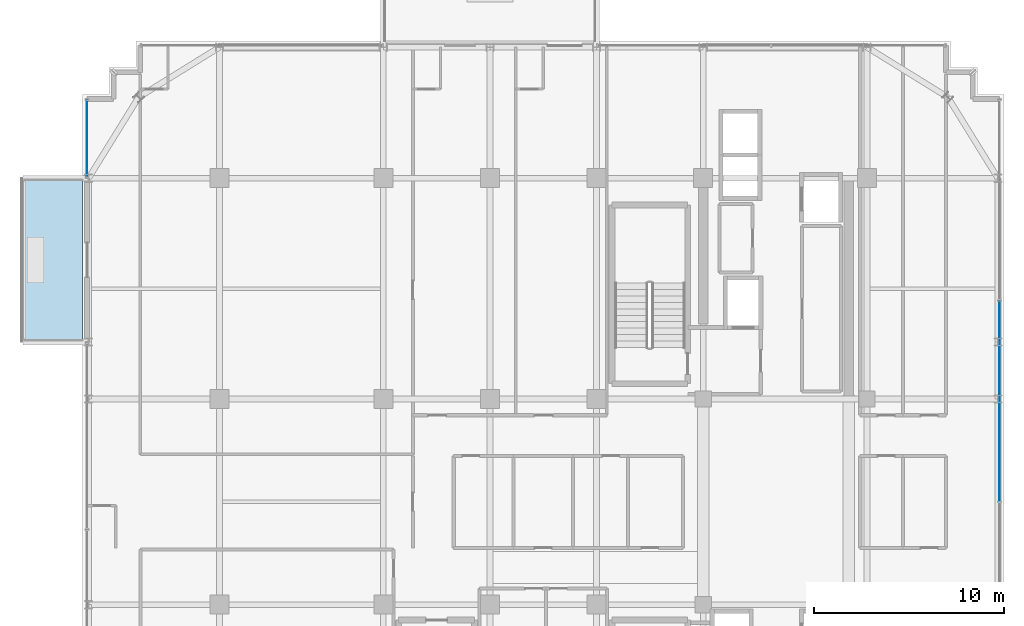
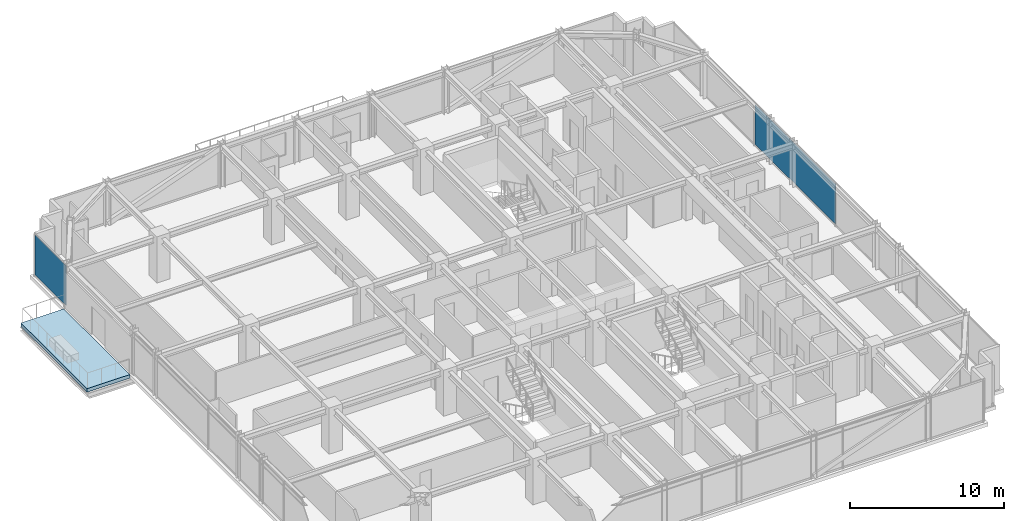
# One storey, part 31 of 41: 2 plates, 1 slab, 2 elements without a shape of their own.
"""IFC4 building model written with IfcOpenShell, lengths in metres."""

from ifc_helpers import new_model, si_unit, direction, frame, origin, origin_2d, place, context, subcontext, project, spatial, polyline, rectangle, outline, extrude, source, transform, mapped, material, layer, layer_set, type_object, element, aggregate, save


model = new_model("IFC4")

# Units and contexts
model_context = context("Model", 3, precision=1e-05, world=origin(), true_north=direction((0.0, 1.0)))
body_context = subcontext(model_context, "Body", "Model", "MODEL_VIEW")
ifc_project = project(units=[si_unit("LENGTHUNIT", "METRE"), si_unit("AREAUNIT", "SQUARE_METRE"), si_unit("VOLUMEUNIT", "CUBIC_METRE"), si_unit("PLANEANGLEUNIT", "RADIAN"), si_unit("MASSUNIT", "GRAM", prefix="KILO")], contexts=[model_context])

# Site, building, storey
site_placement = place(None, origin())
site = spatial("IfcSite", under=ifc_project, at=site_placement, CompositionType="ELEMENT")
building_placement = place(site_placement, origin())
building = spatial("IfcBuilding", under=site, at=building_placement, Name="Nahalor Promenade Grand Hotel", CompositionType="ELEMENT")
storey_placement = place(building_placement, frame((0.0, 0.0, 227.10009765625)))
storey = spatial("IfcBuildingStorey", under=building, at=storey_placement, Name="L58", CompositionType="ELEMENT", Elevation=227.10009765625)

# Slab
ifc_material_1 = material(Name="Concrete B-50 (C40/50)", Category="concrete")
ifc_layer_1 = layer(ifc_material_1, 0.280029296875)
ifc_layer_set_1 = layer_set([ifc_layer_1], Name="Concrete B-50 (C40/50)")
slab_type = type_object("IfcSlabType", Name="Slab-Balcony-280", PredefinedType="FLOOR", material=ifc_layer_set_1)
slab_placement = place(storey_placement, frame((0.0, 0.0, -0.280029296875)))
element("IfcSlab", 1, at=slab_placement, inside=storey, type_object=slab_type, Name="L58 Cantilevered Planted Balcony 2", PredefinedType="FLOOR", context=body_context, shape_type="SweptSolid", body=[
    extrude(outline(polyline([(-27.409912109375, 8.39990234375), (-24.199951171875, 8.39990234375), (-24.199951171875, 17.0), (-27.409912109375, 17.0), (-27.409912109375, 8.39990234375)])), origin(), (0.0, 0.0, 1.0), 0.280029296875),
])

# Curtain wall, plate
ifc_material_2 = material(Name="Anodised Bronze Aluminium EN AW-6063 T6", Category="aluminium")
curtain_wall_type = type_object("IfcCurtainWallType", Name="CW2 Typical Hotel Flush Bronze Unitised Curtain Wall", PredefinedType="USERDEFINED", material=ifc_material_2)
curtain_wall_1_placement = place(storey_placement, origin())
curtain_wall_1 = element("IfcCurtainWall", 2, at=curtain_wall_1_placement, inside=storey, type_object=curtain_wall_type, Name="L58 Curtain Wall CW-L58-E-1", ObjectType="UNITISED_CURTAIN_WALL", PredefinedType="USERDEFINED")
ifc_material_3 = material(Name="Low-E Laminated Solar Glass", Category="glass")
ifc_layer_2 = layer(ifc_material_3, 0.028076171875)
ifc_layer_set_2 = layer_set([ifc_layer_2], Name="Low-E Laminated Solar Glass")
plate_type = type_object("IfcPlateType", Name="CWP2 Bronze Low-E Vision IGU 28mm", PredefinedType="CURTAIN_PANEL", material=ifc_layer_set_2)
shared_shape_1 = source(origin(), body_context, "Body", "SweptSolid", [
    extrude(rectangle(XDim=10.514892578125, YDim=0.028076171875, at=origin_2d()), origin(), (0.0, 0.0, 1.0), 3.14990234375),
])
plate_1_placement = place(storey_placement, frame((23.9599609375, 5.2900390625, 0.1298828125), z_axis=(0.0, 0.0, 1.0), x_axis=(0.0, 1.0, 0.0)))
plate_1 = element("IfcPlate", 3, at=plate_1_placement, type_object=plate_type, Name="CW-L58-E-1 Glazing Panel 2-0", PredefinedType="CURTAIN_PANEL", context=body_context, shape_type="MappedRepresentation", body=[
    mapped(shared_shape_1, transform((0.0, 0.0, 0.0), scale=1.0)),
])
aggregate(curtain_wall_1, [plate_1])

curtain_wall_2_placement = place(storey_placement, origin())
curtain_wall_2 = element("IfcCurtainWall", 4, at=curtain_wall_2_placement, inside=storey, type_object=curtain_wall_type, Name="L58 Curtain Wall CW-L58-W-3", ObjectType="UNITISED_CURTAIN_WALL", PredefinedType="USERDEFINED")
shared_shape_2 = source(origin(), body_context, "Body", "SweptSolid", [
    extrude(rectangle(XDim=4.030029296875, YDim=0.028076171875, at=origin_2d()), origin(), (0.0, 0.0, 1.0), 3.14990234375),
])
plate_2_placement = place(storey_placement, frame((-23.9599609375, 19.080078125, 0.1298828125), z_axis=(0.0, 0.0, 1.0), x_axis=(0.0, 1.0, 0.0)))
plate_2 = element("IfcPlate", 5, at=plate_2_placement, type_object=plate_type, Name="CW-L58-W-3 Glazing Panel 0-0", PredefinedType="CURTAIN_PANEL", context=body_context, shape_type="MappedRepresentation", body=[
    mapped(shared_shape_2, transform((0.0, 0.0, 0.0), scale=1.0)),
])
aggregate(curtain_wall_2, [plate_2])

save(model, "model.ifc")
